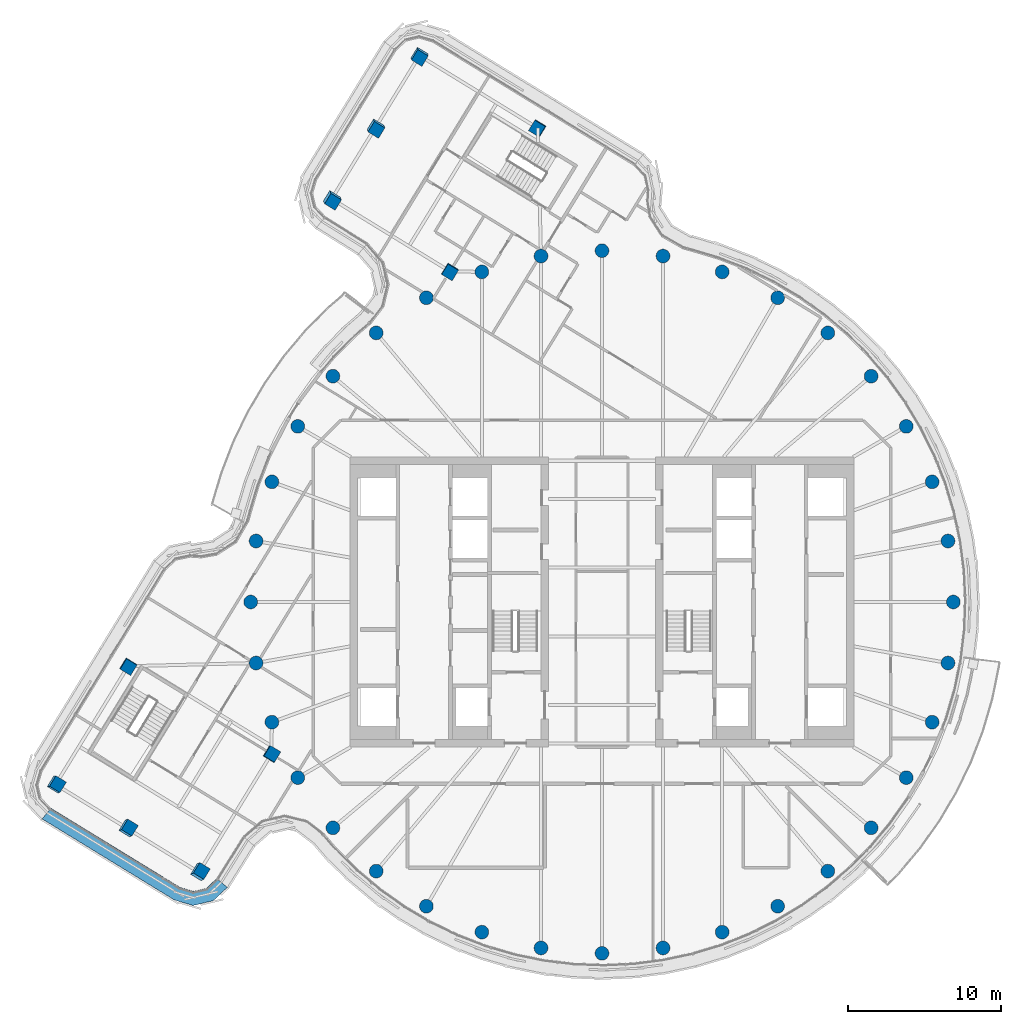
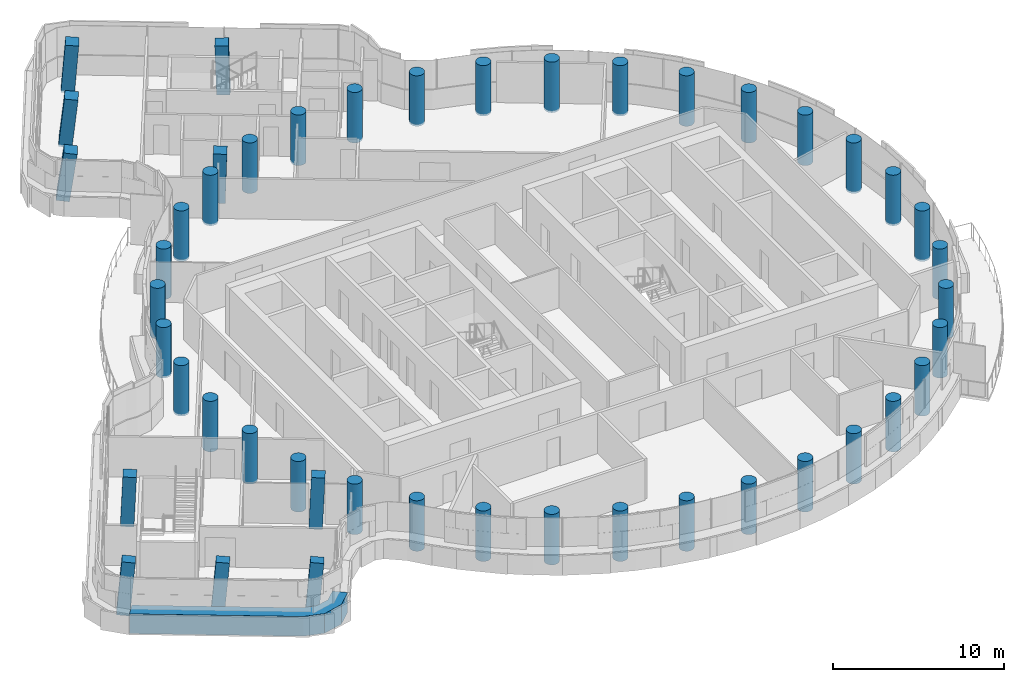
# One storey, part 1 of 27: 46 columns, 1 member, 1 element without a shape of its own.
"""IFC4 building model written with IfcOpenShell, lengths in metres."""

from ifc_helpers import new_model, si_unit, direction, frame, origin, origin_2d, place, context, subcontext, project, spatial, polyline, rectangle, circle, outline, extrude, material, layer, layer_set, material_profile, profile_set, type_object, element, aggregate, save


model = new_model("IFC4")

# Units and contexts
model_context = context("Model", 3, precision=1e-05, world=origin(), true_north=direction((0.0, 1.0)))
body_context = subcontext(model_context, "Body", "Model", "MODEL_VIEW")
ifc_project = project(units=[si_unit("LENGTHUNIT", "METRE"), si_unit("AREAUNIT", "SQUARE_METRE"), si_unit("VOLUMEUNIT", "CUBIC_METRE"), si_unit("PLANEANGLEUNIT", "RADIAN"), si_unit("MASSUNIT", "GRAM", prefix="KILO")], contexts=[model_context])

# Site, building, storey
site_placement = place(None, origin())
site = spatial("IfcSite", under=ifc_project, at=site_placement, CompositionType="ELEMENT")
building_placement = place(site_placement, origin())
building = spatial("IfcBuilding", under=site, at=building_placement, Name="Tamarind Cross Interchange Tower", CompositionType="ELEMENT")
storey_placement = place(building_placement, frame((0.0, 0.0, 245.10009765625)))
storey = spatial("IfcBuildingStorey", under=building, at=storey_placement, Name="L62", CompositionType="ELEMENT", Elevation=245.10009765625)

# Columns
ifc_material_1 = material(Name="Concrete C50", Category="concrete")
ifc_material_profile_1 = material_profile(ifc_material_1, rectangle(XDim=0.800048828125, YDim=0.800048828125, at=origin_2d()), Name="RC 800x800")
ifc_profile_set_1 = profile_set([ifc_material_profile_1], Name="Concrete C50")
column_type_1 = type_object("IfcColumnType", Name="Column RC 800x800 Concrete C50", PredefinedType="COLUMN", material=ifc_profile_set_1)
column_1_placement = place(storey_placement, frame((-9.95068359375, 21.6455078125, -0.138916015625), z_axis=(0.002304349187, -0.050289032263, 0.998732047753), x_axis=(0.521494023038, 0.852234898638, 0.041709249322)))
element("IfcColumn", 1, at=column_1_placement, inside=storey, type_object=column_type_1, Name="Column L62-045", PredefinedType="COLUMN", context=body_context, shape_type="SweptSolid", body=[
    extrude(rectangle(XDim=0.800048828125, YDim=0.800048828125, at=origin_2d()), origin(), (0.0, 0.0, 1.0), 3.602294921875),
])
column_2_placement = place(storey_placement, frame((-4.20458984375, 31.025634765625, -0.138916015625), z_axis=(-0.045479991248, -0.021689414604, 0.998729763094), x_axis=(0.852057085106, -0.522728696962, 0.027448735737)))
element("IfcColumn", 2, at=column_2_placement, inside=storey, type_object=column_type_1, Name="Column L62-046", PredefinedType="COLUMN", context=body_context, shape_type="SweptSolid", body=[
    extrude(rectangle(XDim=0.800048828125, YDim=0.800048828125, at=origin_2d()), origin(), (0.0, 0.0, 1.0), 3.60205078125),
])
column_3_placement = place(storey_placement, frame((-11.9501953125, 35.770263671875, -0.137939453125), z_axis=(0.016732272365, -0.110986242097, 0.993681078177), x_axis=(0.522723880647, 0.84816015737, 0.085930739847)))
element("IfcColumn", 3, at=column_3_placement, inside=storey, type_object=column_type_1, Name="Column L62-047", PredefinedType="COLUMN", context=body_context, shape_type="SweptSolid", body=[
    extrude(rectangle(XDim=0.800048828125, YDim=0.800048828125, at=origin_2d()), origin(), (0.0, 0.0, 1.0), 3.61865234375),
])
column_4_placement = place(storey_placement, frame((-14.822998046875, 31.080322265625, -0.137939453125), z_axis=(0.040318536975, -0.124994195598, 0.991337917485), x_axis=(0.524239786141, 0.84726684636, 0.085507529997)))
element("IfcColumn", 4, at=column_4_placement, inside=storey, type_object=column_type_1, Name="Column L62-048", PredefinedType="COLUMN", context=body_context, shape_type="SweptSolid", body=[
    extrude(rectangle(XDim=0.800048828125, YDim=0.800048828125, at=origin_2d()), origin(), (0.0, 0.0, 1.0), 3.627197265625),
])
column_5_placement = place(storey_placement, frame((-17.696044921875, 26.39013671875, -0.137939453125), z_axis=(0.063818113433, -0.138708770206, 0.988274822843), x_axis=(0.525000356657, 0.846851158374, 0.084957289684)))
element("IfcColumn", 5, at=column_5_placement, inside=storey, type_object=column_type_1, Name="Column L62-049", PredefinedType="COLUMN", context=body_context, shape_type="SweptSolid", body=[
    extrude(rectangle(XDim=0.800048828125, YDim=0.800048828125, at=origin_2d()), origin(), (0.0, 0.0, 1.0), 3.63818359375),
])
column_6_placement = place(storey_placement, frame((-21.6455078125, -9.95068359375, -0.138916015625), z_axis=(0.050289032263, 0.002304349187, 0.998732047753), x_axis=(-0.852234898638, 0.521494023038, 0.041709249322)))
element("IfcColumn", 6, at=column_6_placement, inside=storey, type_object=column_type_1, Name="Column L62-052", PredefinedType="COLUMN", context=body_context, shape_type="SweptSolid", body=[
    extrude(rectangle(XDim=0.800048828125, YDim=0.800048828125, at=origin_2d()), origin(), (0.0, 0.0, 1.0), 3.602294921875),
])
column_7_placement = place(storey_placement, frame((-31.025634765625, -4.20458984375, -0.138916015625), z_axis=(0.021689414604, -0.045479991248, 0.998729763094), x_axis=(0.522728696962, 0.852057085106, 0.027448735737)))
element("IfcColumn", 7, at=column_7_placement, inside=storey, type_object=column_type_1, Name="Column L62-053", PredefinedType="COLUMN", context=body_context, shape_type="SweptSolid", body=[
    extrude(rectangle(XDim=0.800048828125, YDim=0.800048828125, at=origin_2d()), origin(), (0.0, 0.0, 1.0), 3.60205078125),
])
column_8_placement = place(storey_placement, frame((-35.770263671875, -11.9501953125, -0.137939453125), z_axis=(0.110986242097, 0.016732272365, 0.993681078177), x_axis=(-0.84816015737, 0.522723880647, 0.085930739847)))
element("IfcColumn", 8, at=column_8_placement, inside=storey, type_object=column_type_1, Name="Column L62-054", PredefinedType="COLUMN", context=body_context, shape_type="SweptSolid", body=[
    extrude(rectangle(XDim=0.800048828125, YDim=0.800048828125, at=origin_2d()), origin(), (0.0, 0.0, 1.0), 3.61865234375),
])
column_9_placement = place(storey_placement, frame((-31.080322265625, -14.822998046875, -0.137939453125), z_axis=(0.124994195598, 0.040318536975, 0.991337917485), x_axis=(-0.84726684636, 0.524239786141, 0.085507529997)))
element("IfcColumn", 9, at=column_9_placement, inside=storey, type_object=column_type_1, Name="Column L62-055", PredefinedType="COLUMN", context=body_context, shape_type="SweptSolid", body=[
    extrude(rectangle(XDim=0.800048828125, YDim=0.800048828125, at=origin_2d()), origin(), (0.0, 0.0, 1.0), 3.627197265625),
])
column_10_placement = place(storey_placement, frame((-26.39013671875, -17.696044921875, -0.137939453125), z_axis=(0.138708770206, 0.063818113433, 0.988274822843), x_axis=(-0.846851158374, 0.525000356657, 0.084957289684)))
element("IfcColumn", 10, at=column_10_placement, inside=storey, type_object=column_type_1, Name="Column L62-056", PredefinedType="COLUMN", context=body_context, shape_type="SweptSolid", body=[
    extrude(rectangle(XDim=0.800048828125, YDim=0.800048828125, at=origin_2d()), origin(), (0.0, 0.0, 1.0), 3.63818359375),
])
ifc_material_profile_2 = material_profile(ifc_material_1, circle(Radius=0.449951171875, at=origin_2d()), Name="RC D900")
ifc_profile_set_2 = profile_set([ifc_material_profile_2], Name="Concrete C50")
column_type_2 = type_object("IfcColumnType", Name="Column RC D900 Concrete C50", PredefinedType="COLUMN", material=ifc_profile_set_2)
for number, where, z_axis, x_axis, name in (
    (11, (23.0, 0.0, -0.14013671875), (0.0, 0.0, 1.0), (1.0, 0.0, 0.0), "Column L62-000"),
    (12, (22.650634765625, 3.993896484375, -0.14013671875), (0.0, 0.0, 1.0), (1.0, 0.0, 0.0), "Column L62-001"),
    (13, (21.613037109375, 7.866455078125, -0.14013671875), (0.0, 0.0, 1.0), (1.0, 0.0, 0.0), "Column L62-002"),
    (14, (19.918701171875, 11.5, -0.14013671875), (0.0, 0.0, 1.0), (1.0, 0.0, 0.0), "Column L62-003"),
    (15, (17.619140625, 14.7841796875, -0.14013671875), (0.0, 0.0, 1.0), (1.0, 0.0, 0.0), "Column L62-004"),
    (16, (14.7841796875, 17.619140625, -0.14013671875), (0.0, 0.0, 1.0), (1.0, 0.0, 0.0), "Column L62-005"),
    (17, (11.5, 19.918701171875, -0.14013671875), (0.0, 0.0, 1.0), (1.0, 0.0, 0.0), "Column L62-006"),
    (18, (7.866455078125, 21.613037109375, -0.14013671875), (0.0, 0.0, 1.0), (1.0, 0.0, 0.0), "Column L62-007"),
    (19, (3.993896484375, 22.650634765625, -0.14013671875), (0.0, 0.0, 1.0), (1.0, 0.0, 0.0), "Column L62-008"),
    (20, (0.0, 23.0, -0.14013671875), (0.0, 0.0, 1.0), (1.0, 0.0, 0.0), "Column L62-009"),
    (21, (-3.993896484375, 22.650634765625, -0.14013671875), (0.0, 0.0, 1.0), (1.0, 0.0, 0.0), "Column L62-010"),
    (22, (-7.866455078125, 21.613037109375, -0.14013671875), (0.0, 0.0, 1.0), (1.0, 0.0, 0.0), "Column L62-011"),
    (23, (-11.5, 19.918701171875, -0.14013671875), (0.0, 0.0, 1.0), (1.0, 0.0, 0.0), "Column L62-012"),
    (24, (-14.7841796875, 17.619140625, -0.14013671875), (0.0, 0.0, 1.0), (1.0, 0.0, 0.0), "Column L62-013"),
    (25, (-17.619140625, 14.7841796875, -0.14013671875), (0.0, 0.0, 1.0), (1.0, 0.0, 0.0), "Column L62-014"),
    (26, (-19.918701171875, 11.5, -0.14013671875), (0.0, 0.0, 1.0), (1.0, 0.0, 0.0), "Column L62-015"),
    (27, (-21.613037109375, 7.866455078125, -0.14013671875), (0.0, 0.0, 1.0), (1.0, 0.0, 0.0), "Column L62-016"),
    (28, (-22.650634765625, 3.993896484375, -0.14013671875), (0.0, 0.0, 1.0), (1.0, 0.0, 0.0), "Column L62-017"),
    (29, (-23.0, 0.0, -0.14013671875), (0.0, 0.0, 1.0), (1.0, 0.0, 0.0), "Column L62-018"),
    (30, (-22.650634765625, -3.993896484375, -0.14013671875), (0.0, 0.0, 1.0), (1.0, 0.0, 0.0), "Column L62-019"),
    (31, (-21.613037109375, -7.866455078125, -0.14013671875), (0.0, 0.0, 1.0), (1.0, 0.0, 0.0), "Column L62-020"),
    (32, (-19.918701171875, -11.5, -0.14013671875), (0.0, 0.0, 1.0), (1.0, 0.0, 0.0), "Column L62-021"),
    (33, (-17.619140625, -14.7841796875, -0.14013671875), (0.0, 0.0, 1.0), (1.0, 0.0, 0.0), "Column L62-022"),
    (34, (-14.7841796875, -17.619140625, -0.14013671875), (0.0, 0.0, 1.0), (1.0, 0.0, 0.0), "Column L62-023"),
    (35, (-11.5, -19.918701171875, -0.14013671875), (0.0, 0.0, 1.0), (1.0, 0.0, 0.0), "Column L62-024"),
    (36, (-7.866455078125, -21.613037109375, -0.14013671875), (0.0, 0.0, 1.0), (1.0, 0.0, 0.0), "Column L62-025"),
    (37, (-3.993896484375, -22.650634765625, -0.14013671875), (0.0, 0.0, 1.0), (1.0, 0.0, 0.0), "Column L62-026"),
    (38, (0.0, -23.0, -0.14013671875), (0.0, 0.0, 1.0), (1.0, 0.0, 0.0), "Column L62-027"),
    (39, (3.993896484375, -22.650634765625, -0.14013671875), (0.0, 0.0, 1.0), (1.0, 0.0, 0.0), "Column L62-028"),
    (40, (7.866455078125, -21.613037109375, -0.14013671875), (0.0, 0.0, 1.0), (1.0, 0.0, 0.0), "Column L62-029"),
    (41, (11.5, -19.918701171875, -0.14013671875), (0.0, 0.0, 1.0), (1.0, 0.0, 0.0), "Column L62-030"),
    (42, (14.7841796875, -17.619140625, -0.14013671875), (0.0, 0.0, 1.0), (1.0, 0.0, 0.0), "Column L62-031"),
    (43, (17.619140625, -14.7841796875, -0.14013671875), (0.0, 0.0, 1.0), (1.0, 0.0, 0.0), "Column L62-032"),
    (44, (19.918701171875, -11.5, -0.14013671875), (0.0, 0.0, 1.0), (1.0, 0.0, 0.0), "Column L62-033"),
    (45, (21.613037109375, -7.866455078125, -0.14013671875), (0.0, 0.0, 1.0), (1.0, 0.0, 0.0), "Column L62-034"),
    (46, (22.650634765625, -3.993896484375, -0.14013671875), (0.0, 0.0, 1.0), (1.0, 0.0, 0.0), "Column L62-035"),
):
    element("IfcColumn", number, at=place(storey_placement, frame(where, z_axis=z_axis, x_axis=x_axis)), inside=storey, type_object=column_type_2, Name=name, PredefinedType="COLUMN", context=body_context, shape_type="SweptSolid", body=[
        extrude(circle(Radius=0.449951171875, at=origin_2d()), origin(), (0.0, 0.0, 1.0), 3.60009765625),
    ])

# Curtain wall, member
ifc_material_2 = material(Name="Aluminium 6063-T6", Category="aluminium")
ifc_layer = layer(ifc_material_2, 0.139892578125)
ifc_layer_set = layer_set([ifc_layer], Name="Aluminium 6063-T6")
curtain_wall_type = type_object("IfcCurtainWallType", Name="Hotel curtain wall, 4.5 m bays", PredefinedType="NOTDEFINED", material=ifc_layer_set)
curtain_wall_placement = place(storey_placement, origin())
curtain_wall = element("IfcCurtainWall", 47, at=curtain_wall_placement, inside=storey, type_object=curtain_wall_type, Name="CWS-L62-04", PredefinedType="NOTDEFINED")
ifc_material_3 = material(Name="Aluminium and insulated spandrel panel", Category="aluminium")
member_type = type_object("IfcMemberType", Name="Floor-edge blade transom", PredefinedType="USERDEFINED", material=ifc_material_3)
member_placement = place(storey_placement, origin())
member = element("IfcMember", 48, at=member_placement, type_object=member_type, Name="CWT-L62-04", ObjectType="TRANSOM", PredefinedType="USERDEFINED", context=body_context, shape_type="SweptSolid", body=[
    extrude(outline(polyline([(-36.086181640625, -13.498291015625), (-27.626220703125, -18.6806640625), (-26.74853515625, -18.9404296875), (-25.898193359375, -18.736328125), (-25.2333984375, -18.105224609375), (-24.53076171875, -18.678955078125), (-25.45361328125, -19.554931640625), (-26.77294921875, -19.8720703125), (-27.995361328125, -19.510009765625), (-36.6572265625, -14.203857421875), (-36.086181640625, -13.498291015625)])), origin(), (0.0, 0.0, 1.0), 1.39990234375),
])
aggregate(curtain_wall, [member])

save(model, "model.ifc")
